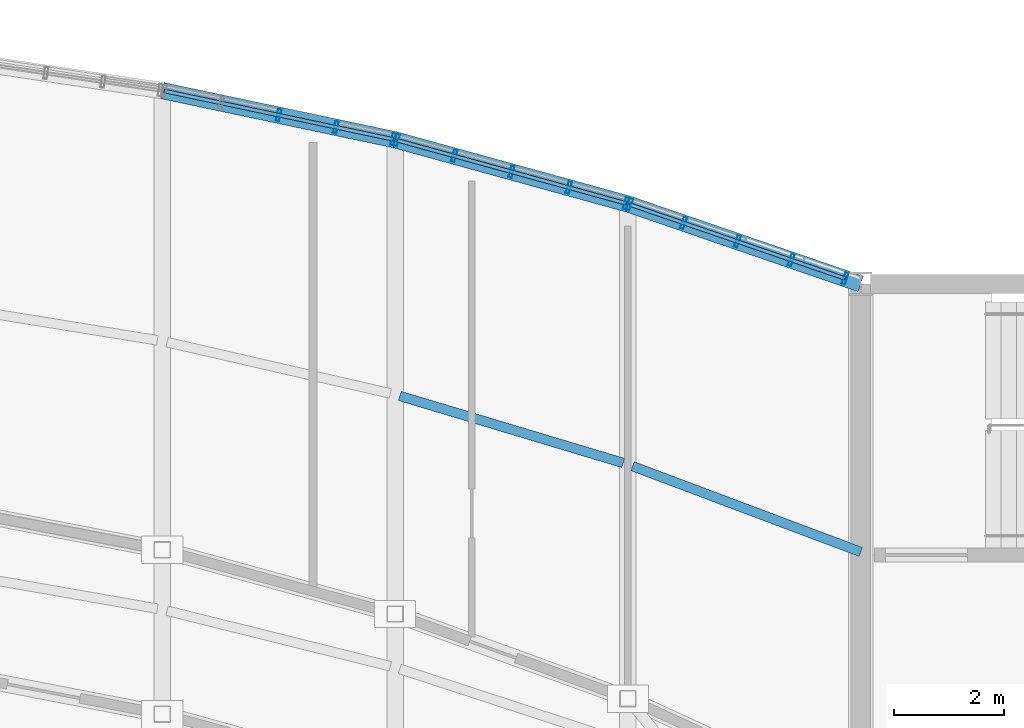
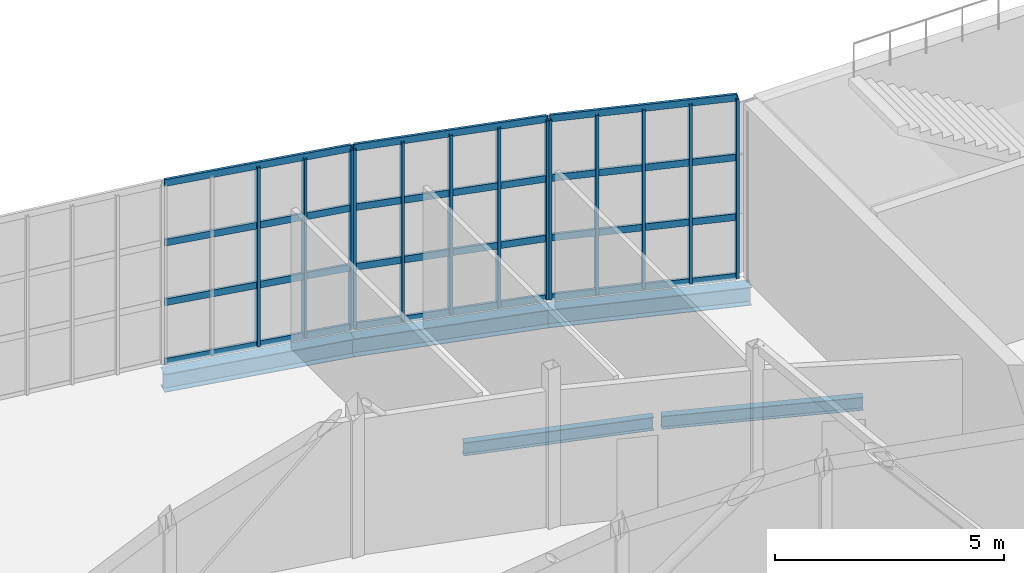
# One storey, part 31 of 46: 25 members, 5 beams, 3 elements without a shape of their own.
"""IFC4 building model written with IfcOpenShell, lengths in metres."""

from ifc_helpers import new_model, si_unit, direction, frame, origin, origin_2d, place, context, subcontext, project, spatial, hollow_rectangle, i_section, extrude, material, material_profile, profile_set, type_object, element, aggregate, save


model = new_model("IFC4")

# Units and contexts
model_context = context("Model", 3, precision=1e-05, world=origin(), true_north=direction((0.0, 1.0)))
body_context = subcontext(model_context, "Body", "Model", "MODEL_VIEW")
ifc_project = project(units=[si_unit("LENGTHUNIT", "METRE"), si_unit("AREAUNIT", "SQUARE_METRE"), si_unit("VOLUMEUNIT", "CUBIC_METRE"), si_unit("PLANEANGLEUNIT", "RADIAN"), si_unit("MASSUNIT", "GRAM", prefix="KILO")], contexts=[model_context])

# Site, building, storey
site_placement = place(None, origin())
site = spatial("IfcSite", under=ifc_project, at=site_placement, CompositionType="ELEMENT")
building_placement = place(site_placement, origin())
building = spatial("IfcBuilding", under=site, at=building_placement, Name="Solvikara Media Centre", CompositionType="ELEMENT")
storey_placement = place(building_placement, frame((0.0, 0.0, 24.60009765625)))
storey = spatial("IfcBuildingStorey", under=building, at=storey_placement, Name="L05", CompositionType="ELEMENT", Elevation=24.60009765625)

# Beams
ifc_material_1 = material(Name="Steel S355JR", Category="steel")
ifc_material_profile_1 = material_profile(ifc_material_1, i_section(OverallWidth=0.175048828125, OverallDepth=0.35009765625, WebThickness=0.007080078125, FlangeThickness=0.010986328125, at=origin_2d()), Name="WF 350x175x7x11")
ifc_profile_set_1 = profile_set([ifc_material_profile_1], Name="Steel S355JR")
beam_type_1 = type_object("IfcBeamType", Name="BM-22", PredefinedType="JOIST", material=ifc_profile_set_1)
beam_1_placement = place(storey_placement, frame((119.0859375, 34.7548828125, -0.397216796875), z_axis=(0.95779787385, -0.287442573133, 0.0), x_axis=(0.287442573133, 0.95779787385, 0.0)))
element("IfcBeam", 1, at=beam_1_placement, inside=storey, type_object=beam_type_1, Name="BJ-L05-10-72", PredefinedType="JOIST", context=body_context, shape_type="SweptSolid", body=[
    extrude(i_section(OverallWidth=0.175048828125, OverallDepth=0.35009765625, WebThickness=0.007080078125, FlangeThickness=0.010986328125, at=origin_2d()), origin(), (0.0, 0.0, 1.0), 4.2578125),
])
beam_2_placement = place(storey_placement, frame((123.333984375, 33.472900390625, -0.397216796875), z_axis=(0.936058378207, -0.351844727955, 0.0), x_axis=(0.351844727955, 0.936058378207, 0.0)))
element("IfcBeam", 2, at=beam_2_placement, inside=storey, type_object=beam_type_1, Name="BJ-L05-11-72", PredefinedType="JOIST", context=body_context, shape_type="SweptSolid", body=[
    extrude(i_section(OverallWidth=0.175048828125, OverallDepth=0.35009765625, WebThickness=0.007080078125, FlangeThickness=0.010986328125, at=origin_2d()), origin(), (0.0, 0.0, 1.0), 4.45068359375),
])
ifc_material_profile_2 = material_profile(ifc_material_1, i_section(OverallWidth=0.300048828125, OverallDepth=0.48193359375, WebThickness=0.010986328125, FlangeThickness=0.014892578125, at=origin_2d()), Name="WF 482x300x11x15")
ifc_profile_set_2 = profile_set([ifc_material_profile_2], Name="Steel S355JR")
beam_type_2 = type_object("IfcBeamType", Name="BM-32", PredefinedType="SPANDREL", material=ifc_profile_set_2)
beam_3_placement = place(storey_placement, frame((114.75, 40.3291015625, -0.463134765625), z_axis=(0.978389077526, -0.206772369957, 0.0), x_axis=(0.206772369957, 0.978389077526, 0.0)))
element("IfcBeam", 3, at=beam_3_placement, inside=storey, type_object=beam_type_2, Name="B-L05-NARC-09", PredefinedType="SPANDREL", context=body_context, shape_type="SweptSolid", body=[
    extrude(i_section(OverallWidth=0.300048828125, OverallDepth=0.48193359375, WebThickness=0.010986328125, FlangeThickness=0.014892578125, at=origin_2d()), origin(), (0.0, 0.0, 1.0), 4.343994140625),
])
beam_4_placement = place(storey_placement, frame((119.0, 39.430908203125, -0.463134765625), z_axis=(0.964080686077, -0.265609545636, 0.0), x_axis=(0.265609545636, 0.964080686077, 0.0)))
element("IfcBeam", 4, at=beam_4_placement, inside=storey, type_object=beam_type_2, Name="B-L05-NARC-10", PredefinedType="SPANDREL", context=body_context, shape_type="SweptSolid", body=[
    extrude(i_section(OverallWidth=0.300048828125, OverallDepth=0.48193359375, WebThickness=0.010986328125, FlangeThickness=0.014892578125, at=origin_2d()), origin(), (0.0, 0.0, 1.0), 4.408447265625),
])
beam_5_placement = place(storey_placement, frame((123.25, 38.260009765625, -0.463134765625), z_axis=(0.945753386984, -0.324885412119, 0.0), x_axis=(0.324885412119, 0.945753386984, 0.0)))
element("IfcBeam", 5, at=beam_5_placement, inside=storey, type_object=beam_type_2, Name="B-L05-NARC-11", PredefinedType="SPANDREL", context=body_context, shape_type="SweptSolid", body=[
    extrude(i_section(OverallWidth=0.300048828125, OverallDepth=0.48193359375, WebThickness=0.010986328125, FlangeThickness=0.014892578125, at=origin_2d()), origin(), (0.0, 0.0, 1.0), 4.49365234375),
])

# Curtain wall, members
ifc_material_2 = material(Name="Anodised aluminium EN AW-6063", Category="aluminium")
curtain_wall_type = type_object("IfcCurtainWallType", Name="CW-02", PredefinedType="NOTDEFINED", material=ifc_material_2)
curtain_wall_1_placement = place(storey_placement, origin())
curtain_wall_1 = element("IfcCurtainWall", 6, at=curtain_wall_1_placement, inside=storey, type_object=curtain_wall_type, Name="CW-L05-NARC-09", PredefinedType="NOTDEFINED")
ifc_material_profile_3 = material_profile(ifc_material_2, hollow_rectangle(XDim=0.06494140625, YDim=0.219970703125, WallThickness=0.00390625, at=origin_2d()), Name="ALU-M 65x220x4")
ifc_profile_set_3 = profile_set([ifc_material_profile_3], Name="Anodised aluminium EN AW-6063")
member_type_1 = type_object("IfcMemberType", Name="MF-01", PredefinedType="MULLION", material=ifc_profile_set_3)
member_1_placement = place(storey_placement, frame((116.875, 39.8798828125, 0.02001953125), z_axis=(0.0, 0.0, 1.0), x_axis=(0.97837923005, -0.206818959981, 0.0)))
member_1 = element("IfcMember", 7, at=member_1_placement, type_object=member_type_1, Name="CW-L05-NARC-09-M02", PredefinedType="MULLION", context=body_context, shape_type="SweptSolid", body=[
    extrude(hollow_rectangle(XDim=0.06494140625, YDim=0.219970703125, WallThickness=0.00390625, at=origin_2d()), origin(), (0.0, 0.0, 1.0), 4.759765625),
])
member_2_placement = place(storey_placement, frame((117.9208984375, 39.658935546875, 0.02001953125), z_axis=(0.0, 0.0, 1.0), x_axis=(0.97837923005, -0.206818959981, 0.0)))
member_2 = element("IfcMember", 8, at=member_2_placement, type_object=member_type_1, Name="CW-L05-NARC-09-M03", PredefinedType="MULLION", context=body_context, shape_type="SweptSolid", body=[
    extrude(hollow_rectangle(XDim=0.06494140625, YDim=0.219970703125, WallThickness=0.00390625, at=origin_2d()), origin(), (0.0, 0.0, 1.0), 4.759765625),
])
member_3_placement = place(storey_placement, frame((118.966064453125, 39.43798828125, 0.02001953125), z_axis=(0.0, 0.0, 1.0), x_axis=(0.97837923005, -0.206818959981, 0.0)))
member_3 = element("IfcMember", 9, at=member_3_placement, type_object=member_type_1, Name="CW-L05-NARC-09-M04", PredefinedType="MULLION", context=body_context, shape_type="SweptSolid", body=[
    extrude(hollow_rectangle(XDim=0.06494140625, YDim=0.219970703125, WallThickness=0.00390625, at=origin_2d()), origin(), (0.0, 0.0, 1.0), 4.759765625),
])

curtain_wall_2_placement = place(storey_placement, origin())
curtain_wall_2 = element("IfcCurtainWall", 10, at=curtain_wall_2_placement, inside=storey, type_object=curtain_wall_type, Name="CW-L05-NARC-10", PredefinedType="NOTDEFINED")
member_4_placement = place(storey_placement, frame((119.033935546875, 39.422119140625, 0.02001953125), z_axis=(0.0, 0.0, 1.0), x_axis=(0.964030487854, -0.265791682504, 0.0)))
member_4 = element("IfcMember", 11, at=member_4_placement, type_object=member_type_1, Name="CW-L05-NARC-10-M00", PredefinedType="MULLION", context=body_context, shape_type="SweptSolid", body=[
    extrude(hollow_rectangle(XDim=0.06494140625, YDim=0.219970703125, WallThickness=0.00390625, at=origin_2d()), origin(), (0.0, 0.0, 1.0), 4.759765625),
])
member_5_placement = place(storey_placement, frame((120.080078125, 39.134033203125, 0.02001953125), z_axis=(0.0, 0.0, 1.0), x_axis=(0.964030487854, -0.265791682504, 0.0)))
member_5 = element("IfcMember", 12, at=member_5_placement, type_object=member_type_1, Name="CW-L05-NARC-10-M01", PredefinedType="MULLION", context=body_context, shape_type="SweptSolid", body=[
    extrude(hollow_rectangle(XDim=0.06494140625, YDim=0.219970703125, WallThickness=0.00390625, at=origin_2d()), origin(), (0.0, 0.0, 1.0), 4.759765625),
])
member_6_placement = place(storey_placement, frame((121.125, 38.845947265625, 0.02001953125), z_axis=(0.0, 0.0, 1.0), x_axis=(0.964030487854, -0.265791682504, 0.0)))
member_6 = element("IfcMember", 13, at=member_6_placement, type_object=member_type_1, Name="CW-L05-NARC-10-M02", PredefinedType="MULLION", context=body_context, shape_type="SweptSolid", body=[
    extrude(hollow_rectangle(XDim=0.06494140625, YDim=0.219970703125, WallThickness=0.00390625, at=origin_2d()), origin(), (0.0, 0.0, 1.0), 4.759765625),
])
member_7_placement = place(storey_placement, frame((122.1708984375, 38.556884765625, 0.02001953125), z_axis=(0.0, 0.0, 1.0), x_axis=(0.964030487854, -0.265791682504, 0.0)))
member_7 = element("IfcMember", 14, at=member_7_placement, type_object=member_type_1, Name="CW-L05-NARC-10-M03", PredefinedType="MULLION", context=body_context, shape_type="SweptSolid", body=[
    extrude(hollow_rectangle(XDim=0.06494140625, YDim=0.219970703125, WallThickness=0.00390625, at=origin_2d()), origin(), (0.0, 0.0, 1.0), 4.759765625),
])
member_8_placement = place(storey_placement, frame((123.216064453125, 38.26904296875, 0.02001953125), z_axis=(0.0, 0.0, 1.0), x_axis=(0.964030487854, -0.265791682504, 0.0)))
member_8 = element("IfcMember", 15, at=member_8_placement, type_object=member_type_1, Name="CW-L05-NARC-10-M04", PredefinedType="MULLION", context=body_context, shape_type="SweptSolid", body=[
    extrude(hollow_rectangle(XDim=0.06494140625, YDim=0.219970703125, WallThickness=0.00390625, at=origin_2d()), origin(), (0.0, 0.0, 1.0), 4.759765625),
])

curtain_wall_3_placement = place(storey_placement, origin())
curtain_wall_3 = element("IfcCurtainWall", 16, at=curtain_wall_3_placement, inside=storey, type_object=curtain_wall_type, Name="CW-L05-NARC-11", PredefinedType="NOTDEFINED")
member_9_placement = place(storey_placement, frame((123.282958984375, 38.2490234375, 0.02001953125), z_axis=(0.0, 0.0, 1.0), x_axis=(0.945705932557, -0.325023520882, 0.0)))
member_9 = element("IfcMember", 17, at=member_9_placement, type_object=member_type_1, Name="CW-L05-NARC-11-M00", PredefinedType="MULLION", context=body_context, shape_type="SweptSolid", body=[
    extrude(hollow_rectangle(XDim=0.06494140625, YDim=0.219970703125, WallThickness=0.00390625, at=origin_2d()), origin(), (0.0, 0.0, 1.0), 4.759765625),
])
member_10_placement = place(storey_placement, frame((124.26611328125, 37.910888671875, 0.02001953125), z_axis=(0.0, 0.0, 1.0), x_axis=(0.945705932557, -0.325023520882, 0.0)))
member_10 = element("IfcMember", 18, at=member_10_placement, type_object=member_type_1, Name="CW-L05-NARC-11-M01", PredefinedType="MULLION", context=body_context, shape_type="SweptSolid", body=[
    extrude(hollow_rectangle(XDim=0.06494140625, YDim=0.219970703125, WallThickness=0.00390625, at=origin_2d()), origin(), (0.0, 0.0, 1.0), 4.759765625),
])
member_11_placement = place(storey_placement, frame((125.248046875, 37.573974609375, 0.02001953125), z_axis=(0.0, 0.0, 1.0), x_axis=(0.945705932557, -0.325023520882, 0.0)))
member_11 = element("IfcMember", 19, at=member_11_placement, type_object=member_type_1, Name="CW-L05-NARC-11-M02", PredefinedType="MULLION", context=body_context, shape_type="SweptSolid", body=[
    extrude(hollow_rectangle(XDim=0.06494140625, YDim=0.219970703125, WallThickness=0.00390625, at=origin_2d()), origin(), (0.0, 0.0, 1.0), 4.759765625),
])
member_12_placement = place(storey_placement, frame((126.23193359375, 37.236083984375, 0.02001953125), z_axis=(0.0, 0.0, 1.0), x_axis=(0.945705932557, -0.325023520882, 0.0)))
member_12 = element("IfcMember", 20, at=member_12_placement, type_object=member_type_1, Name="CW-L05-NARC-11-M03", PredefinedType="MULLION", context=body_context, shape_type="SweptSolid", body=[
    extrude(hollow_rectangle(XDim=0.06494140625, YDim=0.219970703125, WallThickness=0.00390625, at=origin_2d()), origin(), (0.0, 0.0, 1.0), 4.759765625),
])
member_13_placement = place(storey_placement, frame((127.214111328125, 36.89794921875, 0.02001953125), z_axis=(0.0, 0.0, 1.0), x_axis=(0.945705932557, -0.325023520882, 0.0)))
member_13 = element("IfcMember", 21, at=member_13_placement, type_object=member_type_1, Name="CW-L05-NARC-11-M04", PredefinedType="MULLION", context=body_context, shape_type="SweptSolid", body=[
    extrude(hollow_rectangle(XDim=0.06494140625, YDim=0.219970703125, WallThickness=0.00390625, at=origin_2d()), origin(), (0.0, 0.0, 1.0), 4.759765625),
])

# Member
ifc_material_profile_4 = material_profile(ifc_material_2, hollow_rectangle(XDim=0.06494140625, YDim=0.179931640625, WallThickness=0.00341796875, at=origin_2d()), Name="ALU-T 65x180x3.5")
ifc_profile_set_4 = profile_set([ifc_material_profile_4], Name="Anodised aluminium EN AW-6063")
member_type_2 = type_object("IfcMemberType", Name="MF-07", PredefinedType="USERDEFINED", material=ifc_profile_set_4)
member_14_placement = place(storey_placement, frame((114.783935546875, 40.322021484375, 0.02001953125), z_axis=(0.978380382842, -0.206813506496, 0.0), x_axis=(0.206813506496, 0.978380382842, 0.0)))
member_14 = element("IfcMember", 22, at=member_14_placement, type_object=member_type_2, Name="CW-L05-NARC-09-T00", ObjectType="TRANSOM", PredefinedType="USERDEFINED", context=body_context, shape_type="SweptSolid", body=[
    extrude(hollow_rectangle(XDim=0.06494140625, YDim=0.179931640625, WallThickness=0.00341796875, at=origin_2d()), origin(), (0.0, 0.0, 1.0), 4.274658203125),
])

member_15_placement = place(storey_placement, frame((114.783935546875, 40.322021484375, 1.60693359375), z_axis=(0.978380382842, -0.206813506496, 0.0), x_axis=(0.206813506496, 0.978380382842, 0.0)))
member_15 = element("IfcMember", 23, at=member_15_placement, type_object=member_type_2, Name="CW-L05-NARC-09-T01", ObjectType="TRANSOM", PredefinedType="USERDEFINED", context=body_context, shape_type="SweptSolid", body=[
    extrude(hollow_rectangle(XDim=0.06494140625, YDim=0.179931640625, WallThickness=0.00341796875, at=origin_2d()), origin(), (0.0, 0.0, 1.0), 4.274658203125),
])

member_16_placement = place(storey_placement, frame((114.783935546875, 40.322021484375, 3.19287109375), z_axis=(0.978380382842, -0.206813506496, 0.0), x_axis=(0.206813506496, 0.978380382842, 0.0)))
member_16 = element("IfcMember", 24, at=member_16_placement, type_object=member_type_2, Name="CW-L05-NARC-09-T02", ObjectType="TRANSOM", PredefinedType="USERDEFINED", context=body_context, shape_type="SweptSolid", body=[
    extrude(hollow_rectangle(XDim=0.06494140625, YDim=0.179931640625, WallThickness=0.00341796875, at=origin_2d()), origin(), (0.0, 0.0, 1.0), 4.274658203125),
])

member_17_placement = place(storey_placement, frame((114.783935546875, 40.322021484375, 4.77978515625), z_axis=(0.978380382842, -0.206813506496, 0.0), x_axis=(0.206813506496, 0.978380382842, 0.0)))
member_17 = element("IfcMember", 25, at=member_17_placement, type_object=member_type_2, Name="CW-L05-NARC-09-T03", ObjectType="TRANSOM", PredefinedType="USERDEFINED", context=body_context, shape_type="SweptSolid", body=[
    extrude(hollow_rectangle(XDim=0.06494140625, YDim=0.179931640625, WallThickness=0.00341796875, at=origin_2d()), origin(), (0.0, 0.0, 1.0), 4.274658203125),
])

aggregate(curtain_wall_1, [member_1, member_2, member_3, member_14, member_15, member_16, member_17])

member_18_placement = place(storey_placement, frame((119.033935546875, 39.422119140625, 0.02001953125), z_axis=(0.96402892513, -0.265797350461, 0.0), x_axis=(0.265797350461, 0.96402892513, 0.0)))
member_18 = element("IfcMember", 26, at=member_18_placement, type_object=member_type_2, Name="CW-L05-NARC-10-T00", ObjectType="TRANSOM", PredefinedType="USERDEFINED", context=body_context, shape_type="SweptSolid", body=[
    extrude(hollow_rectangle(XDim=0.06494140625, YDim=0.179931640625, WallThickness=0.00341796875, at=origin_2d()), origin(), (0.0, 0.0, 1.0), 4.338134765625),
])

member_19_placement = place(storey_placement, frame((119.033935546875, 39.422119140625, 1.60693359375), z_axis=(0.96402892513, -0.265797350461, 0.0), x_axis=(0.265797350461, 0.96402892513, 0.0)))
member_19 = element("IfcMember", 27, at=member_19_placement, type_object=member_type_2, Name="CW-L05-NARC-10-T01", ObjectType="TRANSOM", PredefinedType="USERDEFINED", context=body_context, shape_type="SweptSolid", body=[
    extrude(hollow_rectangle(XDim=0.06494140625, YDim=0.179931640625, WallThickness=0.00341796875, at=origin_2d()), origin(), (0.0, 0.0, 1.0), 4.338134765625),
])

member_20_placement = place(storey_placement, frame((119.033935546875, 39.422119140625, 3.19287109375), z_axis=(0.96402892513, -0.265797350461, 0.0), x_axis=(0.265797350461, 0.96402892513, 0.0)))
member_20 = element("IfcMember", 28, at=member_20_placement, type_object=member_type_2, Name="CW-L05-NARC-10-T02", ObjectType="TRANSOM", PredefinedType="USERDEFINED", context=body_context, shape_type="SweptSolid", body=[
    extrude(hollow_rectangle(XDim=0.06494140625, YDim=0.179931640625, WallThickness=0.00341796875, at=origin_2d()), origin(), (0.0, 0.0, 1.0), 4.338134765625),
])

member_21_placement = place(storey_placement, frame((119.033935546875, 39.422119140625, 4.77978515625), z_axis=(0.96402892513, -0.265797350461, 0.0), x_axis=(0.265797350461, 0.96402892513, 0.0)))
member_21 = element("IfcMember", 29, at=member_21_placement, type_object=member_type_2, Name="CW-L05-NARC-10-T03", ObjectType="TRANSOM", PredefinedType="USERDEFINED", context=body_context, shape_type="SweptSolid", body=[
    extrude(hollow_rectangle(XDim=0.06494140625, YDim=0.179931640625, WallThickness=0.00341796875, at=origin_2d()), origin(), (0.0, 0.0, 1.0), 4.338134765625),
])

aggregate(curtain_wall_2, [member_4, member_5, member_6, member_7, member_8, member_18, member_19, member_20, member_21])

member_22_placement = place(storey_placement, frame((123.282958984375, 38.2490234375, 0.02001953125), z_axis=(0.945705781798, -0.325023959537, 0.0), x_axis=(0.325023959537, 0.945705781798, 0.0)))
member_22 = element("IfcMember", 30, at=member_22_placement, type_object=member_type_2, Name="CW-L05-NARC-11-T00", ObjectType="TRANSOM", PredefinedType="USERDEFINED", context=body_context, shape_type="SweptSolid", body=[
    extrude(hollow_rectangle(XDim=0.06494140625, YDim=0.179931640625, WallThickness=0.00341796875, at=origin_2d()), origin(), (0.0, 0.0, 1.0), 4.15673828125),
])

member_23_placement = place(storey_placement, frame((123.282958984375, 38.2490234375, 1.60693359375), z_axis=(0.945705781798, -0.325023959537, 0.0), x_axis=(0.325023959537, 0.945705781798, 0.0)))
member_23 = element("IfcMember", 31, at=member_23_placement, type_object=member_type_2, Name="CW-L05-NARC-11-T01", ObjectType="TRANSOM", PredefinedType="USERDEFINED", context=body_context, shape_type="SweptSolid", body=[
    extrude(hollow_rectangle(XDim=0.06494140625, YDim=0.179931640625, WallThickness=0.00341796875, at=origin_2d()), origin(), (0.0, 0.0, 1.0), 4.15673828125),
])

member_24_placement = place(storey_placement, frame((123.282958984375, 38.2490234375, 3.19287109375), z_axis=(0.945705781798, -0.325023959537, 0.0), x_axis=(0.325023959537, 0.945705781798, 0.0)))
member_24 = element("IfcMember", 32, at=member_24_placement, type_object=member_type_2, Name="CW-L05-NARC-11-T02", ObjectType="TRANSOM", PredefinedType="USERDEFINED", context=body_context, shape_type="SweptSolid", body=[
    extrude(hollow_rectangle(XDim=0.06494140625, YDim=0.179931640625, WallThickness=0.00341796875, at=origin_2d()), origin(), (0.0, 0.0, 1.0), 4.15673828125),
])

member_25_placement = place(storey_placement, frame((123.282958984375, 38.2490234375, 4.77978515625), z_axis=(0.945705781798, -0.325023959537, 0.0), x_axis=(0.325023959537, 0.945705781798, 0.0)))
member_25 = element("IfcMember", 33, at=member_25_placement, type_object=member_type_2, Name="CW-L05-NARC-11-T03", ObjectType="TRANSOM", PredefinedType="USERDEFINED", context=body_context, shape_type="SweptSolid", body=[
    extrude(hollow_rectangle(XDim=0.06494140625, YDim=0.179931640625, WallThickness=0.00341796875, at=origin_2d()), origin(), (0.0, 0.0, 1.0), 4.15673828125),
])

aggregate(curtain_wall_3, [member_9, member_10, member_11, member_12, member_13, member_22, member_23, member_24, member_25])

save(model, "model.ifc")
